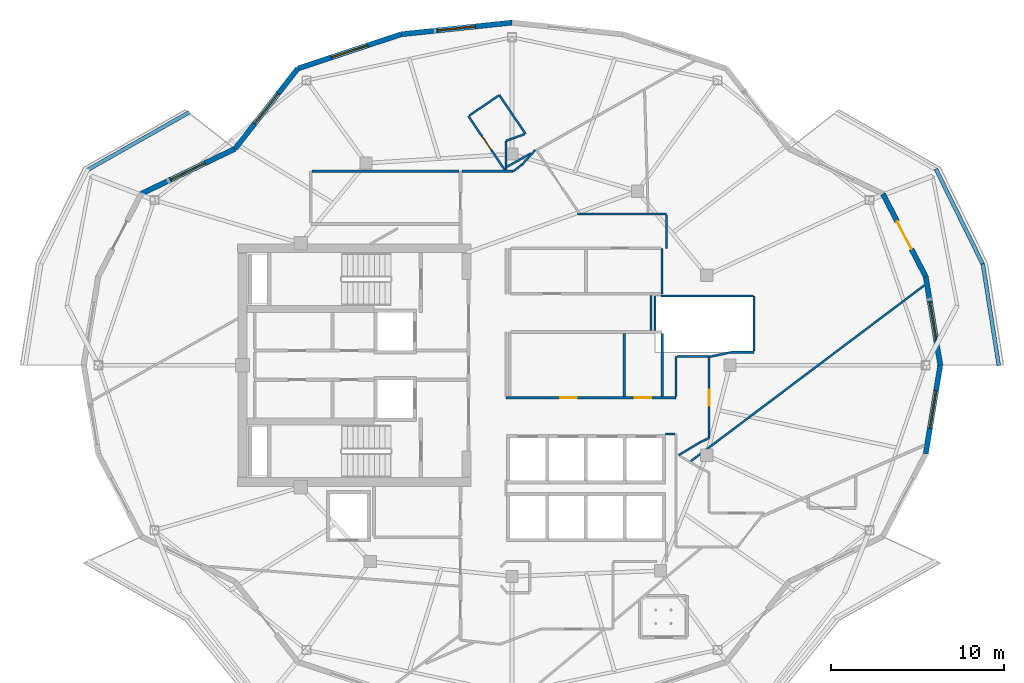
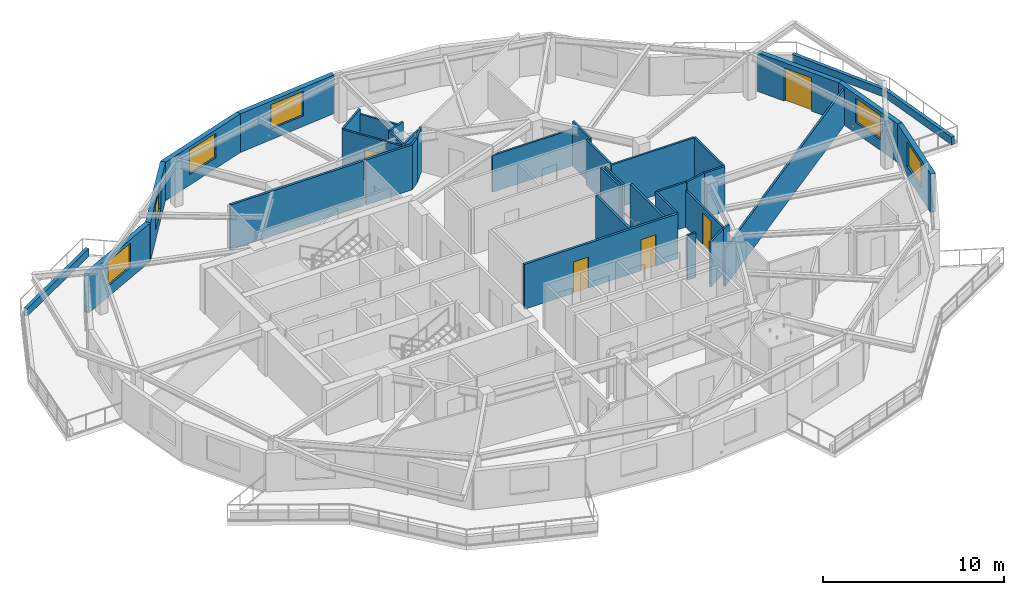
# One storey, part 6 of 13: 39 walls, 6 windows, 5 doors, 11 openings.
"""IFC4 building model written with IfcOpenShell, lengths in metres."""

from ifc_helpers import new_model, si_unit, direction, frame, frame_2d, origin, place, context, subcontext, project, spatial, rectangle, extrude, material, layer, layer_set, type_object, element, fill, save


model = new_model("IFC4")

# Units and contexts
model_context = context("Model", 3, precision=1e-05, world=origin(), true_north=direction((0.0, 1.0)))
body_context = subcontext(model_context, "Body", "Model", "MODEL_VIEW")
ifc_project = project(units=[si_unit("LENGTHUNIT", "METRE"), si_unit("AREAUNIT", "SQUARE_METRE"), si_unit("VOLUMEUNIT", "CUBIC_METRE"), si_unit("PLANEANGLEUNIT", "RADIAN"), si_unit("MASSUNIT", "GRAM", prefix="KILO")], contexts=[model_context])

# Site, building, storey
site_placement = place(None, origin())
site = spatial("IfcSite", under=ifc_project, at=site_placement, CompositionType="ELEMENT")
building_placement = place(site_placement, origin())
building = spatial("IfcBuilding", under=site, at=building_placement, Name="Kolvaren Gate Tower and Convention Centre", CompositionType="ELEMENT")
storey_placement = place(building_placement, frame((0.0, 0.0, 196.39990234375)))
storey = spatial("IfcBuildingStorey", under=building, at=storey_placement, Name="L51", CompositionType="ELEMENT", Elevation=196.39990234375)

# Wall
ifc_material_1 = material(Name="Fire-Rated Acoustic Gypsum Stud Partition", Category="gypsum")
ifc_layer_1 = layer(ifc_material_1, 0.1201171875)
ifc_layer_set_1 = layer_set([ifc_layer_1], Name="Fire-Rated Acoustic Gypsum Stud Partition")
wall_type_1 = type_object("IfcWallType", Name="ARCH-WL-PART-120", PredefinedType="PARTITIONING", material=ifc_layer_set_1)
wall_1_placement = place(storey_placement, frame((38.800048828125, 31.1201171875, 0.0), z_axis=(0.0, 0.0, 1.0), x_axis=(0.0, 1.0, 0.0)))
element("IfcWall", 1, at=wall_1_placement, inside=storey, type_object=wall_type_1, Name="Interior Partition WL-L51-INT-019", PredefinedType="PARTITIONING", context=body_context, shape_type="SweptSolid", body=[
    extrude(rectangle(XDim=2.6298828125, YDim=0.1201171875, at=frame_2d((1.31494140625, 0.0))), origin(), (0.0, 0.0, 1.0), 3.030029296875),
])

# Wall, opening, door
wall_2_placement = place(storey_placement, frame((27.60498046875, 41.39501953125, 0.0), z_axis=(0.0, 0.0, 1.0), x_axis=(0.560433673257, -0.82819931048, 0.0)))
wall_2 = element("IfcWall", 2, at=wall_2_placement, inside=storey, type_object=wall_type_1, Name="Interior Partition WL-L51-INT-026", PredefinedType="PARTITIONING", context=body_context, shape_type="SweptSolid", body=[
    extrude(rectangle(XDim=3.7646484375, YDim=0.1201171875, at=frame_2d((1.88232421875, 0.0))), origin(), (0.0, 0.0, 1.0), 3.030029296875),
])
opening_1_placement = place(wall_2_placement, frame((1.407470703125, 0.0, 0.0)))
opening_1 = element("IfcOpeningElement", 3, at=opening_1_placement, cuts=wall_2, Name="Opening DR-01", PredefinedType="OPENING", context=body_context, shape_type="SweptSolid", body=[
    extrude(rectangle(XDim=0.949951171875, YDim=2.10009765625, at=frame_2d((0.47509765625, 1.050048828125))), frame((0.0, 0.070068359375, 0.0), z_axis=(0.0, -1.0, 0.0), x_axis=(1.0, 0.0, 0.0)), (0.0, 0.0, 1.0), 0.14013671875),
])
ifc_material_2 = material(Name="Painted Architectural Steelwork ASTM A500 Grade C 345 MPa", Category="steel")
door_type_1 = type_object("IfcDoorType", Name="ARCH-DR-RISER-950", OperationType="SINGLE_SWING_RIGHT", PredefinedType="DOOR", material=ifc_material_2)
door_1_placement = place(opening_1_placement, origin())
door_1 = element("IfcDoor", 4, at=door_1_placement, inside=storey, type_object=door_type_1, Name="Resident Private Study and Home Office Door", OperationType="SINGLE_SWING_LEFT", OverallHeight=2.10009765625, OverallWidth=0.949951171875, PredefinedType="DOOR", context=body_context, shape_type="SweptSolid", body=[
    extrude(rectangle(XDim=0.949951171875, YDim=2.10009765625, at=frame_2d((0.47509765625, 1.050048828125))), frame((0.0, 0.02490234375, 0.0), z_axis=(0.0, -1.0, 0.0), x_axis=(1.0, 0.0, 0.0)), (0.0, 0.0, 1.0), 0.050048828125),
])
fill(opening_1, door_1)

# Walls
wall_3_placement = place(storey_placement, frame((27.656494140625, 41.4296875, 0.0), z_axis=(0.0, 0.0, 1.0), x_axis=(0.828453292792, 0.560058159178, 0.0)))
element("IfcWall", 5, at=wall_3_placement, inside=storey, type_object=wall_type_1, Name="Interior Partition WL-L51-INT-027", PredefinedType="PARTITIONING", context=body_context, shape_type="SweptSolid", body=[
    extrude(rectangle(XDim=2.0986328125, YDim=0.1201171875, at=frame_2d((1.04931640625, 0.0))), origin(), (0.0, 0.0, 1.0), 3.030029296875),
])
wall_4_placement = place(storey_placement, frame((29.39501953125, 42.60498046875, 0.0), z_axis=(0.0, 0.0, 1.0), x_axis=(0.560265527613, -0.828313067969, 0.0)))
element("IfcWall", 6, at=wall_4_placement, inside=storey, type_object=wall_type_1, Name="Interior Partition WL-L51-INT-028", PredefinedType="PARTITIONING", context=body_context, shape_type="SweptSolid", body=[
    extrude(rectangle(XDim=2.697021484375, YDim=0.1201171875, at=frame_2d((1.3486328125, 0.0))), origin(), (0.0, 0.0, 1.0), 2.712158203125),
])
wall_5_placement = place(storey_placement, frame((29.780029296875, 39.965087890625, 0.0), z_axis=(0.0, 0.0, 1.0), x_axis=(0.940708705525, 0.33921546449, 0.0)))
element("IfcWall", 7, at=wall_5_placement, inside=storey, type_object=wall_type_1, Name="Interior Partition WL-L51-INT-030", PredefinedType="PARTITIONING", context=body_context, shape_type="SweptSolid", body=[
    extrude(rectangle(XDim=1.1328125, YDim=0.1201171875, at=frame_2d((0.56640625, 0.0))), origin(), (0.0, 0.0, 1.0), 3.030029296875),
])
wall_6_placement = place(storey_placement, frame((29.780029296875, 38.277099609375, 0.0), z_axis=(0.0, 0.0, 1.0), x_axis=(0.0, 1.0, 0.0)))
element("IfcWall", 8, at=wall_6_placement, inside=storey, type_object=wall_type_1, Name="Interior Partition WL-L51-INT-034", PredefinedType="PARTITIONING", context=body_context, shape_type="SweptSolid", body=[
    extrude(rectangle(XDim=1.68798828125, YDim=0.1201171875, at=frame_2d((0.843994140625, 0.0))), origin(), (0.0, 0.0, 1.0), 3.030029296875),
])
wall_7_placement = place(storey_placement, frame((30.18505859375, 38.199951171875, 0.0), z_axis=(0.0, 0.0, 1.0), x_axis=(0.796007867519, 0.605286275119, 0.0)))
element("IfcWall", 9, at=wall_7_placement, inside=storey, type_object=wall_type_1, Name="Interior Partition WL-L51-INT-035", PredefinedType="PARTITIONING", context=body_context, shape_type="SweptSolid", body=[
    extrude(rectangle(XDim=0.670654296875, YDim=0.1201171875, at=frame_2d((0.33544921875, 0.0))), origin(), (0.0, 0.0, 1.0), 3.030029296875),
])
wall_8_placement = place(storey_placement, frame((30.718994140625, 38.60595703125, 0.0), z_axis=(0.0, 0.0, 1.0), x_axis=(0.671842916063, 0.740693658766, 0.0)))
element("IfcWall", 10, at=wall_8_placement, inside=storey, type_object=wall_type_1, Name="Interior Partition WL-L51-INT-036", PredefinedType="PARTITIONING", context=body_context, shape_type="SweptSolid", body=[
    extrude(rectangle(XDim=1.113525390625, YDim=0.1201171875, at=frame_2d((0.556640625, 0.0))), origin(), (0.0, 0.0, 1.0), 3.030029296875),
])
wall_9_placement = place(storey_placement, frame((33.9130859375, 35.75, 0.0), z_axis=(0.0, 0.0, 1.0), x_axis=(1.0, 0.0, 0.0)))
element("IfcWall", 11, at=wall_9_placement, inside=storey, type_object=wall_type_1, Name="Interior Partition WL-L51-INT-037", PredefinedType="PARTITIONING", context=body_context, shape_type="SweptSolid", body=[
    extrude(rectangle(XDim=5.136962890625, YDim=0.1201171875, at=frame_2d((2.568359375, 0.0))), origin(), (0.0, 0.0, 1.0), 2.47802734375),
])
wall_10_placement = place(storey_placement, frame((39.050048828125, 33.75, 0.0), z_axis=(0.0, 0.0, 1.0), x_axis=(0.0, 1.0, 0.0)))
element("IfcWall", 12, at=wall_10_placement, inside=storey, type_object=wall_type_1, Name="Interior Partition WL-L51-INT-039", PredefinedType="PARTITIONING", context=body_context, shape_type="SweptSolid", body=[
    extrude(rectangle(XDim=1.93798828125, YDim=0.1201171875, at=frame_2d((0.968994140625, 0.0))), origin(), (0.0, 0.0, 1.0), 3.030029296875),
])
wall_11_placement = place(storey_placement, frame((38.159912109375, 28.9970703125, 0.0), z_axis=(0.0, 0.0, 1.0), x_axis=(0.0, 1.0, 0.0)))
element("IfcWall", 13, at=wall_11_placement, inside=storey, type_object=wall_type_1, Name="Interior Partition WL-L51-INT-040", PredefinedType="PARTITIONING", context=body_context, shape_type="SweptSolid", body=[
    extrude(rectangle(XDim=2.0458984375, YDim=0.1201171875, at=frame_2d((1.02294921875, 0.0))), origin(), (0.0, 0.0, 1.0), 3.030029296875),
])
wall_12_placement = place(storey_placement, frame((39.60009765625, 25.197021484375, 0.0), z_axis=(0.0, 0.0, 1.0), x_axis=(0.0, 1.0, 0.0)))
element("IfcWall", 14, at=wall_12_placement, inside=storey, type_object=wall_type_1, Name="Interior Partition WL-L51-INT-042", PredefinedType="PARTITIONING", context=body_context, shape_type="SweptSolid", body=[
    extrude(rectangle(XDim=2.31298828125, YDim=0.1201171875, at=frame_2d((1.156494140625, 0.0))), origin(), (0.0, 0.0, 1.0), 3.030029296875),
])
wall_13_placement = place(storey_placement, frame((39.662109375, 27.510009765625, 0.0), z_axis=(0.0, 0.0, 1.0), x_axis=(1.0, 0.0, 0.0)))
element("IfcWall", 15, at=wall_13_placement, inside=storey, type_object=wall_type_1, Name="Interior Partition WL-L51-INT-043", PredefinedType="PARTITIONING", context=body_context, shape_type="SweptSolid", body=[
    extrude(rectangle(XDim=1.85791015625, YDim=0.1201171875, at=frame_2d((0.928955078125, 0.0))), origin(), (0.0, 0.0, 1.0), 3.030029296875),
])

# Wall, opening, door
wall_14_placement = place(storey_placement, frame((41.52001953125, 22.7939453125, 0.0), z_axis=(0.0, 0.0, 1.0), x_axis=(0.0, 1.0, 0.0)))
wall_14 = element("IfcWall", 16, at=wall_14_placement, inside=storey, type_object=wall_type_1, Name="Interior Partition WL-L51-INT-045", PredefinedType="PARTITIONING", context=body_context, shape_type="SweptSolid", body=[
    extrude(rectangle(XDim=4.654052734375, YDim=0.1201171875, at=frame_2d((2.3271484375, 0.0))), origin(), (0.0, 0.0, 1.0), 2.47802734375),
])
opening_2_placement = place(wall_14_placement, frame((1.85205078125, 0.0, 0.0)))
opening_2 = element("IfcOpeningElement", 17, at=opening_2_placement, cuts=wall_14, Name="Opening DR-01", PredefinedType="OPENING", context=body_context, shape_type="SweptSolid", body=[
    extrude(rectangle(XDim=0.949951171875, YDim=2.10009765625, at=frame_2d((0.47509765625, 1.050048828125))), frame((0.0, 0.070068359375, 0.0), z_axis=(0.0, -1.0, 0.0), x_axis=(1.0, 0.0, 0.0)), (0.0, 0.0, 1.0), 0.14013671875),
])
door_2_placement = place(opening_2_placement, origin())
door_2 = element("IfcDoor", 18, at=door_2_placement, inside=storey, type_object=door_type_1, Name="Resident Private Study and Home Office Door", OperationType="SINGLE_SWING_LEFT", OverallHeight=2.10009765625, OverallWidth=0.949951171875, PredefinedType="DOOR", context=body_context, shape_type="SweptSolid", body=[
    extrude(rectangle(XDim=0.949951171875, YDim=2.10009765625, at=frame_2d((0.47509765625, 1.050048828125))), frame((0.0, 0.02490234375, 0.0), z_axis=(0.0, -1.0, 0.0), x_axis=(1.0, 0.0, 0.0)), (0.0, 0.0, 1.0), 0.050048828125),
])
fill(opening_2, door_2)

# Walls
wall_15_placement = place(storey_placement, frame((40.986083984375, 22.541015625, 0.0), z_axis=(0.0, 0.0, 1.0), x_axis=(0.903729424576, 0.428104107847, 0.0)))
element("IfcWall", 19, at=wall_15_placement, inside=storey, type_object=wall_type_1, Name="Interior Partition WL-L51-INT-046", PredefinedType="PARTITIONING", context=body_context, shape_type="SweptSolid", body=[
    extrude(rectangle(XDim=0.5908203125, YDim=0.1201171875, at=frame_2d((0.29541015625, 0.0))), origin(), (0.0, 0.0, 1.0), 3.030029296875),
])
wall_16_placement = place(storey_placement, frame((39.75, 21.800048828125, 0.0), z_axis=(0.0, 0.0, 1.0), x_axis=(0.857702120906, 0.514146935996, 0.0)))
element("IfcWall", 20, at=wall_16_placement, inside=storey, type_object=wall_type_1, Name="Interior Partition WL-L51-INT-047", PredefinedType="PARTITIONING", context=body_context, shape_type="SweptSolid", body=[
    extrude(rectangle(XDim=1.441162109375, YDim=0.1201171875, at=frame_2d((0.720703125, 0.0))), origin(), (0.0, 0.0, 1.0), 3.030029296875),
])
wall_17_placement = place(storey_placement, frame((39.0, 23.02001953125, 0.0), z_axis=(0.0, 0.0, 1.0), x_axis=(1.0, 0.0, 0.0)))
element("IfcWall", 21, at=wall_17_placement, inside=storey, type_object=wall_type_1, Name="Interior Partition WL-L51-INT-053", PredefinedType="PARTITIONING", context=body_context, shape_type="SweptSolid", body=[
    extrude(rectangle(XDim=0.5380859375, YDim=0.1201171875, at=frame_2d((0.26904296875, 0.0))), origin(), (0.0, 0.0, 1.0), 3.030029296875),
])
wall_18_placement = place(storey_placement, frame((29.842041015625, 38.468505859375, 0.0), z_axis=(0.0, 0.0, 1.0), x_axis=(0.871155836792, 0.491006627269, 0.0)))
element("IfcWall", 22, at=wall_18_placement, inside=storey, type_object=wall_type_1, Name="Interior Partition WL-L51-INT-066", PredefinedType="PARTITIONING", context=body_context, shape_type="SweptSolid", body=[
    extrude(rectangle(XDim=1.5703125, YDim=0.1201171875, at=frame_2d((0.78515625, 0.0))), origin(), (0.0, 0.0, 1.0), 3.030029296875),
])
wall_19_placement = place(storey_placement, frame((40.453369140625, 21.451171875, 0.0), z_axis=(0.0, 0.0, 1.0), x_axis=(0.798820239576, 0.601569800475, 0.0)))
element("IfcWall", 23, at=wall_19_placement, inside=storey, type_object=wall_type_1, Name="Interior Partition WL-L51-INT-069", PredefinedType="PARTITIONING", context=body_context, shape_type="SweptSolid", body=[
    extrude(rectangle(XDim=16.908447265625, YDim=0.1201171875, at=frame_2d((8.4541015625, 0.0))), origin(), (0.0, 0.0, 1.0), 2.47802734375),
])
wall_20_placement = place(storey_placement, frame((41.52001953125, 27.48095703125, 0.0), z_axis=(0.0, 0.0, 1.0), x_axis=(0.978151658552, 0.207892599368, 0.0)))
element("IfcWall", 24, at=wall_20_placement, inside=storey, type_object=wall_type_1, Name="Interior Partition WL-L51-INT-081", PredefinedType="PARTITIONING", context=body_context, shape_type="SweptSolid", body=[
    extrude(rectangle(XDim=1.294189453125, YDim=0.1201171875, at=frame_2d((0.64697265625, 0.0))), origin(), (0.0, 0.0, 1.0), 3.030029296875),
])
wall_21_placement = place(storey_placement, frame((42.785888671875, 27.75, 0.0), z_axis=(0.0, 0.0, 1.0), x_axis=(1.0, 0.0, 0.0)))
element("IfcWall", 25, at=wall_21_placement, inside=storey, type_object=wall_type_1, Name="Interior Partition WL-L51-INT-082", PredefinedType="PARTITIONING", context=body_context, shape_type="SweptSolid", body=[
    extrude(rectangle(XDim=1.314208984375, YDim=0.1201171875, at=frame_2d((0.6572265625, 0.0))), origin(), (0.0, 0.0, 1.0), 3.030029296875),
])
wall_22_placement = place(storey_placement, frame((44.10009765625, 27.81201171875, 0.0), z_axis=(0.0, 0.0, 1.0), x_axis=(0.0, 1.0, 0.0)))
element("IfcWall", 26, at=wall_22_placement, inside=storey, type_object=wall_type_1, Name="Interior Partition WL-L51-INT-083", PredefinedType="PARTITIONING", context=body_context, shape_type="SweptSolid", body=[
    extrude(rectangle(XDim=3.18798828125, YDim=0.1201171875, at=frame_2d((1.593994140625, 0.0))), origin(), (0.0, 0.0, 1.0), 3.030029296875),
])
wall_23_placement = place(storey_placement, frame((38.738037109375, 31.0, 0.0), z_axis=(0.0, 0.0, 1.0), x_axis=(1.0, 0.0, 0.0)))
element("IfcWall", 27, at=wall_23_placement, inside=storey, type_object=wall_type_1, Name="Interior Partition WL-L51-INT-084", PredefinedType="PARTITIONING", context=body_context, shape_type="SweptSolid", body=[
    extrude(rectangle(XDim=5.300048828125, YDim=0.1201171875, at=frame_2d((2.64990234375, 0.0))), origin(), (0.0, 0.0, 1.0), 3.030029296875),
])
wall_24_placement = place(storey_placement, frame((38.39990234375, 28.9970703125, 0.0), z_axis=(0.0, 0.0, 1.0), x_axis=(0.0, 1.0, 0.0)))
element("IfcWall", 28, at=wall_24_placement, inside=storey, type_object=wall_type_1, Name="Interior Partition WL-L51-INT-085", PredefinedType="PARTITIONING", context=body_context, shape_type="SweptSolid", body=[
    extrude(rectangle(XDim=2.0029296875, YDim=0.1201171875, at=frame_2d((1.00146484375, 0.0))), origin(), (0.0, 0.0, 1.0), 3.030029296875),
])
ifc_material_3 = material(Name="Piedmont Cream Honed Limestone Cladding", Category="masonry")
ifc_layer_2 = layer(ifc_material_3, 0.219970703125)
ifc_layer_set_2 = layer_set([ifc_layer_2], Name="Piedmont Cream Honed Limestone Cladding")
wall_type_2 = type_object("IfcWallType", Name="ARCH-WL-PLANTER-220", PredefinedType="PARAPET", material=ifc_layer_set_2)
wall_25_placement = place(storey_placement, frame((57.331787109375, 32.8623046875, 0.0), z_axis=(0.0, 0.0, 1.0), x_axis=(0.1550711793, -0.987903299595, 0.0)))
element("IfcWall", 29, at=wall_25_placement, inside=storey, type_object=wall_type_2, Name="Vertical-Forest Balcony Stone Planter Kerb PK-L51-1.1", PredefinedType="PARAPET", context=body_context, shape_type="SweptSolid", body=[
    extrude(rectangle(XDim=5.963623046875, YDim=0.219970703125, at=frame_2d((2.98193359375, 0.0))), origin(), (0.0, 0.0, 1.0), 0.52001953125),
])
wall_26_placement = place(storey_placement, frame((54.615966796875, 38.3466796875, 0.0), z_axis=(0.0, 0.0, 1.0), x_axis=(0.441640961804, -0.897191875162, 0.0)))
element("IfcWall", 30, at=wall_26_placement, inside=storey, type_object=wall_type_2, Name="Vertical-Forest Balcony Stone Planter Kerb PK-L51-1.2", PredefinedType="PARAPET", context=body_context, shape_type="SweptSolid", body=[
    extrude(rectangle(XDim=6.17822265625, YDim=0.219970703125, at=frame_2d((3.089111328125, 0.0))), origin(), (0.0, 0.0, 1.0), 0.52001953125),
])
wall_27_placement = place(storey_placement, frame((5.6083984375, 38.29052734375, 0.0), z_axis=(0.0, 0.0, 1.0), x_axis=(0.869860619267, 0.493297580623, 0.0)))
element("IfcWall", 31, at=wall_27_placement, inside=storey, type_object=wall_type_2, Name="Vertical-Forest Balcony Stone Planter Kerb PK-L51-2.1", PredefinedType="PARAPET", context=body_context, shape_type="SweptSolid", body=[
    extrude(rectangle(XDim=6.74267578125, YDim=0.219970703125, at=frame_2d((3.371337890625, 0.0))), origin(), (0.0, 0.0, 1.0), 0.52001953125),
])

# Wall, opening, window
ifc_layer_3 = layer(ifc_material_3, 0.300048828125)
ifc_layer_set_3 = layer_set([ifc_layer_3], Name="Piedmont Cream Honed Limestone Cladding")
wall_type_3 = type_object("IfcWallType", Name="ARCH-WL-STONE-300", PredefinedType="SOLIDWALL", material=ifc_layer_set_3)
wall_28_placement = place(storey_placement, frame((54.03173828125, 32.12451171875, 0.0), z_axis=(0.0, 0.0, 1.0), x_axis=(0.16237087798, -0.986729799886, 0.0)))
wall_28 = element("IfcWall", 32, at=wall_28_placement, inside=storey, type_object=wall_type_3, Name="Tower L51 Honed Stone Spandrel Wall EW-00", PredefinedType="SOLIDWALL", context=body_context, shape_type="SweptSolid", body=[
    extrude(rectangle(XDim=5.193359375, YDim=0.300048828125, at=frame_2d((2.5966796875, 0.0))), origin(), (0.0, 0.0, 1.0), 2.60498046875),
])
opening_3_placement = place(wall_28_placement, frame((1.4970703125, 0.0, 0.719970703125)))
opening_3 = element("IfcOpeningElement", 33, at=opening_3_placement, cuts=wall_28, Name="Opening W-03", PredefinedType="OPENING", context=body_context, shape_type="SweptSolid", body=[
    extrude(rectangle(XDim=2.199951171875, YDim=1.64990234375, at=frame_2d((1.10009765625, 0.824951171875))), frame((0.0, 0.159912109375, 0.0), z_axis=(0.0, -1.0, 0.0), x_axis=(1.0, 0.0, 0.0)), (0.0, 0.0, 1.0), 0.320068359375),
])
ifc_material_4 = material(Name="Low-E Triple Insulated Glazing Unit 44 mm", Category="glass")
window_type = type_object("IfcWindowType", Name="ARCH-WN-RES-2200", PartitioningType="SINGLE_PANEL", PredefinedType="WINDOW", material=ifc_material_4)
window_1_placement = place(opening_3_placement, origin())
window_1 = element("IfcWindow", 34, at=window_1_placement, inside=storey, type_object=window_type, Name="Tower L51 Punched Stone Facade Window W-00", OverallHeight=1.64990234375, OverallWidth=2.199951171875, PartitioningType="SINGLE_PANEL", PredefinedType="WINDOW", context=body_context, shape_type="SweptSolid", body=[
    extrude(rectangle(XDim=2.199951171875, YDim=1.64990234375, at=frame_2d((1.10009765625, 0.824951171875))), frame((0.0, 0.030029296875, 0.0), z_axis=(0.0, -1.0, 0.0), x_axis=(1.0, 0.0, 0.0)), (0.0, 0.0, 1.0), 0.06005859375),
])
fill(opening_3, window_1)

# Wall, opening, door
wall_29_placement = place(storey_placement, frame((51.55908203125, 36.89990234375, 0.0), z_axis=(0.0, 0.0, 1.0), x_axis=(0.459808219482, -0.888018243786, 0.0)))
wall_29 = element("IfcWall", 35, at=wall_29_placement, inside=storey, type_object=wall_type_3, Name="Tower L51 Honed Stone Spandrel Wall EW-01", PredefinedType="SOLIDWALL", context=body_context, shape_type="SweptSolid", body=[
    extrude(rectangle(XDim=5.377685546875, YDim=0.300048828125, at=frame_2d((2.68896484375, 0.0))), origin(), (0.0, 0.0, 1.0), 2.60498046875),
])
opening_4_placement = place(wall_29_placement, frame((1.7890625, 0.0, 0.0)))
opening_4 = element("IfcOpeningElement", 36, at=opening_4_placement, cuts=wall_29, Name="Opening DB-01", PredefinedType="OPENING", context=body_context, shape_type="SweptSolid", body=[
    extrude(rectangle(XDim=1.800048828125, YDim=2.25, at=frame_2d((0.89990234375, 1.125))), frame((0.0, 0.159912109375, 0.0), z_axis=(0.0, -1.0, 0.0), x_axis=(1.0, 0.0, 0.0)), (0.0, 0.0, 1.0), 0.320068359375),
])
ifc_material_5 = material(Name="Anodized Architectural Aluminium Alloy 6063-T6", Category="aluminium")
door_type_2 = type_object("IfcDoorType", Name="ARCH-DR-BALC-1800", OperationType="SLIDING_TO_LEFT", PredefinedType="DOOR", material=ifc_material_5)
door_3_placement = place(opening_4_placement, origin())
door_3 = element("IfcDoor", 37, at=door_3_placement, inside=storey, type_object=door_type_2, Name="Planted Sky Terrace Access Door DB-L51-01", OperationType="SLIDING_TO_LEFT", OverallHeight=2.25, OverallWidth=1.800048828125, PredefinedType="DOOR", context=body_context, shape_type="SweptSolid", body=[
    extrude(rectangle(XDim=1.800048828125, YDim=2.25, at=frame_2d((0.89990234375, 1.125))), frame((0.0, 0.02490234375, 0.0), z_axis=(0.0, -1.0, 0.0), x_axis=(1.0, 0.0, 0.0)), (0.0, 0.0, 1.0), 0.050048828125),
])
fill(opening_4, door_3)

# Wall, opening, window
wall_30_placement = place(storey_placement, frame((23.71923828125, 46.125244140625, 0.0), z_axis=(0.0, 0.0, 1.0), x_axis=(0.994497142298, 0.104763705363, 0.0)))
wall_30 = element("IfcWall", 38, at=wall_30_placement, inside=storey, type_object=wall_type_3, Name="Tower L51 Honed Stone Spandrel Wall EW-06", PredefinedType="SOLIDWALL", context=body_context, shape_type="SweptSolid", body=[
    extrude(rectangle(XDim=6.441162109375, YDim=0.300048828125, at=frame_2d((3.220703125, 0.0))), origin(), (0.0, 0.0, 1.0), 2.60498046875),
])
opening_5_placement = place(wall_30_placement, frame((2.12109375, 0.0, 0.719970703125)))
opening_5 = element("IfcOpeningElement", 39, at=opening_5_placement, cuts=wall_30, Name="Opening W-03", PredefinedType="OPENING", context=body_context, shape_type="SweptSolid", body=[
    extrude(rectangle(XDim=2.199951171875, YDim=1.64990234375, at=frame_2d((1.10009765625, 0.824951171875))), frame((0.0, 0.159912109375, 0.0), z_axis=(0.0, -1.0, 0.0), x_axis=(1.0, 0.0, 0.0)), (0.0, 0.0, 1.0), 0.320068359375),
])
window_2_placement = place(opening_5_placement, origin())
window_2 = element("IfcWindow", 40, at=window_2_placement, inside=storey, type_object=window_type, Name="Tower L51 Punched Stone Facade Window W-06", OverallHeight=1.64990234375, OverallWidth=2.199951171875, PartitioningType="SINGLE_PANEL", PredefinedType="WINDOW", context=body_context, shape_type="SweptSolid", body=[
    extrude(rectangle(XDim=2.199951171875, YDim=1.64990234375, at=frame_2d((1.10009765625, 0.824951171875))), frame((0.0, 0.030029296875, 0.0), z_axis=(0.0, -1.0, 0.0), x_axis=(1.0, 0.0, 0.0)), (0.0, 0.0, 1.0), 0.06005859375),
])
fill(opening_5, window_2)

wall_31_placement = place(storey_placement, frame((17.75, 44.147216796875, 0.0), z_axis=(0.0, 0.0, 1.0), x_axis=(0.949240877604, 0.314550085495, 0.0)))
wall_31 = element("IfcWall", 41, at=wall_31_placement, inside=storey, type_object=wall_type_3, Name="Tower L51 Honed Stone Spandrel Wall EW-07", PredefinedType="SOLIDWALL", context=body_context, shape_type="SweptSolid", body=[
    extrude(rectangle(XDim=6.288330078125, YDim=0.300048828125, at=frame_2d((3.14404296875, 0.0))), origin(), (0.0, 0.0, 1.0), 2.60498046875),
])
opening_6_placement = place(wall_31_placement, frame((2.0439453125, 0.0, 0.719970703125)))
opening_6 = element("IfcOpeningElement", 42, at=opening_6_placement, cuts=wall_31, Name="Opening W-03", PredefinedType="OPENING", context=body_context, shape_type="SweptSolid", body=[
    extrude(rectangle(XDim=2.199951171875, YDim=1.64990234375, at=frame_2d((1.10009765625, 0.824951171875))), frame((0.0, 0.159912109375, 0.0), z_axis=(0.0, -1.0, 0.0), x_axis=(1.0, 0.0, 0.0)), (0.0, 0.0, 1.0), 0.320068359375),
])
window_3_placement = place(opening_6_placement, origin())
window_3 = element("IfcWindow", 43, at=window_3_placement, inside=storey, type_object=window_type, Name="Tower L51 Punched Stone Facade Window W-07", OverallHeight=1.64990234375, OverallWidth=2.199951171875, PartitioningType="SINGLE_PANEL", PredefinedType="WINDOW", context=body_context, shape_type="SweptSolid", body=[
    extrude(rectangle(XDim=2.199951171875, YDim=1.64990234375, at=frame_2d((1.10009765625, 0.824951171875))), frame((0.0, 0.030029296875, 0.0), z_axis=(0.0, -1.0, 0.0), x_axis=(1.0, 0.0, 0.0)), (0.0, 0.0, 1.0), 0.06005859375),
])
fill(opening_6, window_3)

wall_32_placement = place(storey_placement, frame((14.117431640625, 39.50732421875, 0.0), z_axis=(0.0, 0.0, 1.0), x_axis=(0.616450126935, 0.787393955401, 0.0)))
wall_32 = element("IfcWall", 44, at=wall_32_placement, inside=storey, type_object=wall_type_3, Name="Tower L51 Honed Stone Spandrel Wall EW-08", PredefinedType="SOLIDWALL", context=body_context, shape_type="SweptSolid", body=[
    extrude(rectangle(XDim=5.892822265625, YDim=0.300048828125, at=frame_2d((2.9462890625, 0.0))), origin(), (0.0, 0.0, 1.0), 2.60498046875),
])
opening_7_placement = place(wall_32_placement, frame((1.845947265625, 0.0, 0.719970703125)))
opening_7 = element("IfcOpeningElement", 45, at=opening_7_placement, cuts=wall_32, Name="Opening W-03", PredefinedType="OPENING", context=body_context, shape_type="SweptSolid", body=[
    extrude(rectangle(XDim=2.199951171875, YDim=1.64990234375, at=frame_2d((1.10009765625, 0.824951171875))), frame((0.0, 0.159912109375, 0.0), z_axis=(0.0, -1.0, 0.0), x_axis=(1.0, 0.0, 0.0)), (0.0, 0.0, 1.0), 0.320068359375),
])
window_4_placement = place(opening_7_placement, origin())
window_4 = element("IfcWindow", 46, at=window_4_placement, inside=storey, type_object=window_type, Name="Tower L51 Punched Stone Facade Window W-08", OverallHeight=1.64990234375, OverallWidth=2.199951171875, PartitioningType="SINGLE_PANEL", PredefinedType="WINDOW", context=body_context, shape_type="SweptSolid", body=[
    extrude(rectangle(XDim=2.199951171875, YDim=1.64990234375, at=frame_2d((1.10009765625, 0.824951171875))), frame((0.0, 0.030029296875, 0.0), z_axis=(0.0, -1.0, 0.0), x_axis=(1.0, 0.0, 0.0)), (0.0, 0.0, 1.0), 0.06005859375),
])
fill(opening_7, window_4)

wall_33_placement = place(storey_placement, frame((8.69091796875, 36.89990234375, 0.0), z_axis=(0.0, 0.0, 1.0), x_axis=(0.901348331142, 0.433094892545, 0.0)))
wall_33 = element("IfcWall", 47, at=wall_33_placement, inside=storey, type_object=wall_type_3, Name="Tower L51 Honed Stone Spandrel Wall EW-09", PredefinedType="SOLIDWALL", context=body_context, shape_type="SweptSolid", body=[
    extrude(rectangle(XDim=6.0205078125, YDim=0.300048828125, at=frame_2d((3.01025390625, 0.0))), origin(), (0.0, 0.0, 1.0), 2.60498046875),
])
opening_8_placement = place(wall_33_placement, frame((1.909912109375, 0.0, 0.719970703125)))
opening_8 = element("IfcOpeningElement", 48, at=opening_8_placement, cuts=wall_33, Name="Opening W-03", PredefinedType="OPENING", context=body_context, shape_type="SweptSolid", body=[
    extrude(rectangle(XDim=2.199951171875, YDim=1.64990234375, at=frame_2d((1.10009765625, 0.824951171875))), frame((0.0, 0.159912109375, 0.0), z_axis=(0.0, -1.0, 0.0), x_axis=(1.0, 0.0, 0.0)), (0.0, 0.0, 1.0), 0.320068359375),
])
window_5_placement = place(opening_8_placement, origin())
window_5 = element("IfcWindow", 49, at=window_5_placement, inside=storey, type_object=window_type, Name="Tower L51 Punched Stone Facade Window W-09", OverallHeight=1.64990234375, OverallWidth=2.199951171875, PartitioningType="SINGLE_PANEL", PredefinedType="WINDOW", context=body_context, shape_type="SweptSolid", body=[
    extrude(rectangle(XDim=2.199951171875, YDim=1.64990234375, at=frame_2d((1.10009765625, 0.824951171875))), frame((0.0, 0.030029296875, 0.0), z_axis=(0.0, -1.0, 0.0), x_axis=(1.0, 0.0, 0.0)), (0.0, 0.0, 1.0), 0.06005859375),
])
fill(opening_8, window_5)

wall_34_placement = place(storey_placement, frame((54.03173828125, 21.87548828125, 0.0), z_axis=(0.0, 0.0, 1.0), x_axis=(0.16237087798, 0.986729799886, 0.0)))
wall_34 = element("IfcWall", 50, at=wall_34_placement, inside=storey, type_object=wall_type_3, Name="Tower L51 Honed Stone Spandrel Wall EW-23", PredefinedType="SOLIDWALL", context=body_context, shape_type="SweptSolid", body=[
    extrude(rectangle(XDim=5.193359375, YDim=0.300048828125, at=frame_2d((2.5966796875, 0.0))), origin(), (0.0, 0.0, 1.0), 2.60498046875),
])
opening_9_placement = place(wall_34_placement, frame((1.4970703125, 0.0, 0.719970703125)))
opening_9 = element("IfcOpeningElement", 51, at=opening_9_placement, cuts=wall_34, Name="Opening W-03", PredefinedType="OPENING", context=body_context, shape_type="SweptSolid", body=[
    extrude(rectangle(XDim=2.199951171875, YDim=1.64990234375, at=frame_2d((1.10009765625, 0.824951171875))), frame((0.0, 0.159912109375, 0.0), z_axis=(0.0, -1.0, 0.0), x_axis=(1.0, 0.0, 0.0)), (0.0, 0.0, 1.0), 0.320068359375),
])
window_6_placement = place(opening_9_placement, origin())
window_6 = element("IfcWindow", 52, at=window_6_placement, inside=storey, type_object=window_type, Name="Tower L51 Punched Stone Facade Window W-23", OverallHeight=1.64990234375, OverallWidth=2.199951171875, PartitioningType="SINGLE_PANEL", PredefinedType="WINDOW", context=body_context, shape_type="SweptSolid", body=[
    extrude(rectangle(XDim=2.199951171875, YDim=1.64990234375, at=frame_2d((1.10009765625, 0.824951171875))), frame((0.0, 0.030029296875, 0.0), z_axis=(0.0, -1.0, 0.0), x_axis=(1.0, 0.0, 0.0)), (0.0, 0.0, 1.0), 0.06005859375),
])
fill(opening_9, window_6)

# Wall, openings, doors
ifc_material_6 = material(Name="Moisture-Resistant Cement-Board Acoustic Partition", Category="gypsum")
ifc_layer_4 = layer(ifc_material_6, 0.14990234375)
ifc_layer_set_4 = layer_set([ifc_layer_4], Name="Moisture-Resistant Cement-Board Acoustic Partition")
wall_type_4 = type_object("IfcWallType", Name="ARCH-WL-WET-150", PredefinedType="PARTITIONING", material=ifc_layer_set_4)
wall_35_placement = place(storey_placement, frame((29.780029296875, 25.1201171875, 0.0), z_axis=(0.0, 0.0, 1.0), x_axis=(1.0, 0.0, 0.0)))
wall_35 = element("IfcWall", 53, at=wall_35_placement, inside=storey, type_object=wall_type_4, Name="Interior Partition WL-L51-INT-013", PredefinedType="PARTITIONING", context=body_context, shape_type="SweptSolid", body=[
    extrude(rectangle(XDim=9.820068359375, YDim=0.14990234375, at=frame_2d((4.91015625, 0.0))), origin(), (0.0, 0.0, 1.0), 3.030029296875),
])
opening_10_placement = place(wall_35_placement, frame((3.139892578125, 0.0, 0.0)))
opening_10 = element("IfcOpeningElement", 54, at=opening_10_placement, cuts=wall_35, Name="Opening DR-01", PredefinedType="OPENING", context=body_context, shape_type="SweptSolid", body=[
    extrude(rectangle(XDim=0.949951171875, YDim=2.10009765625, at=frame_2d((0.47509765625, 1.050048828125))), frame((0.0, 0.0849609375, 0.0), z_axis=(0.0, -1.0, 0.0), x_axis=(1.0, 0.0, 0.0)), (0.0, 0.0, 1.0), 0.169921875),
])
opening_11_placement = place(wall_35_placement, frame((7.445068359375, 0.0, 0.0)))
opening_11 = element("IfcOpeningElement", 55, at=opening_11_placement, cuts=wall_35, Name="Opening DR-01", PredefinedType="OPENING", context=body_context, shape_type="SweptSolid", body=[
    extrude(rectangle(XDim=0.949951171875, YDim=2.10009765625, at=frame_2d((0.47509765625, 1.050048828125))), frame((0.0, 0.0849609375, 0.0), z_axis=(0.0, -1.0, 0.0), x_axis=(1.0, 0.0, 0.0)), (0.0, 0.0, 1.0), 0.169921875),
])
door_4_placement = place(opening_10_placement, origin())
door_4 = element("IfcDoor", 56, at=door_4_placement, inside=storey, type_object=door_type_1, Name="Accessible Universal Washroom Door", OperationType="SINGLE_SWING_LEFT", OverallHeight=2.10009765625, OverallWidth=0.949951171875, PredefinedType="DOOR", context=body_context, shape_type="SweptSolid", body=[
    extrude(rectangle(XDim=0.949951171875, YDim=2.10009765625, at=frame_2d((0.47509765625, 1.050048828125))), frame((0.0, 0.02490234375, 0.0), z_axis=(0.0, -1.0, 0.0), x_axis=(1.0, 0.0, 0.0)), (0.0, 0.0, 1.0), 0.050048828125),
])
fill(opening_10, door_4)
door_5_placement = place(opening_11_placement, origin())
door_5 = element("IfcDoor", 57, at=door_5_placement, inside=storey, type_object=door_type_1, Name="Floor Janitor and Supply Store Door", OperationType="SINGLE_SWING_RIGHT", OverallHeight=2.10009765625, OverallWidth=0.949951171875, PredefinedType="DOOR", context=body_context, shape_type="SweptSolid", body=[
    extrude(rectangle(XDim=0.949951171875, YDim=2.10009765625, at=frame_2d((0.47509765625, 1.050048828125))), frame((0.0, 0.02490234375, 0.0), z_axis=(0.0, -1.0, 0.0), x_axis=(1.0, 0.0, 0.0)), (0.0, 0.0, 1.0), 0.050048828125),
])
fill(opening_11, door_5)

# Walls
for number, where, z_axis, x_axis, name in (
    (58, (36.60009765625, 25.197021484375, 0.0), (0.0, 0.0, 1.0), (0.0, 1.0, 0.0), "Interior Partition WL-L51-INT-017"),
    (59, (38.800048828125, 25.197021484375, 0.0), (0.0, 0.0, 1.0), (0.0, 1.0, 0.0), "Interior Partition WL-L51-INT-018"),
):
    element("IfcWall", number, at=place(storey_placement, frame(where, z_axis=z_axis, x_axis=x_axis)), inside=storey, type_object=wall_type_4, Name=name, PredefinedType="PARTITIONING", context=body_context, shape_type="SweptSolid", body=[
        extrude(rectangle(XDim=3.64599609375, YDim=0.14990234375, at=frame_2d((1.822998046875, 0.0))), origin(), (0.0, 0.0, 1.0), 3.030029296875),
    ])
wall_36_placement = place(storey_placement, frame((18.576904296875, 38.199951171875, 0.0), z_axis=(0.0, 0.0, 1.0), x_axis=(1.0, 0.0, 0.0)))
element("IfcWall", 60, at=wall_36_placement, inside=storey, type_object=wall_type_4, Name="Interior Partition WL-L51-INT-025", PredefinedType="PARTITIONING", context=body_context, shape_type="SweptSolid", body=[
    extrude(rectangle(XDim=8.49609375, YDim=0.14990234375, at=frame_2d((4.248046875, 0.0))), origin(), (0.0, 0.0, 1.0), 3.030029296875),
])
wall_37_placement = place(storey_placement, frame((27.22705078125, 38.199951171875, 0.0), z_axis=(0.0, 0.0, 1.0), x_axis=(1.0, 0.0, 0.0)))
element("IfcWall", 61, at=wall_37_placement, inside=storey, type_object=wall_type_4, Name="Interior Partition WL-L51-INT-025 (2)", PredefinedType="PARTITIONING", context=body_context, shape_type="SweptSolid", body=[
    extrude(rectangle(XDim=2.9580078125, YDim=0.14990234375, at=frame_2d((1.47900390625, 0.0))), origin(), (0.0, 0.0, 1.0), 3.030029296875),
])

save(model, "model.ifc")
